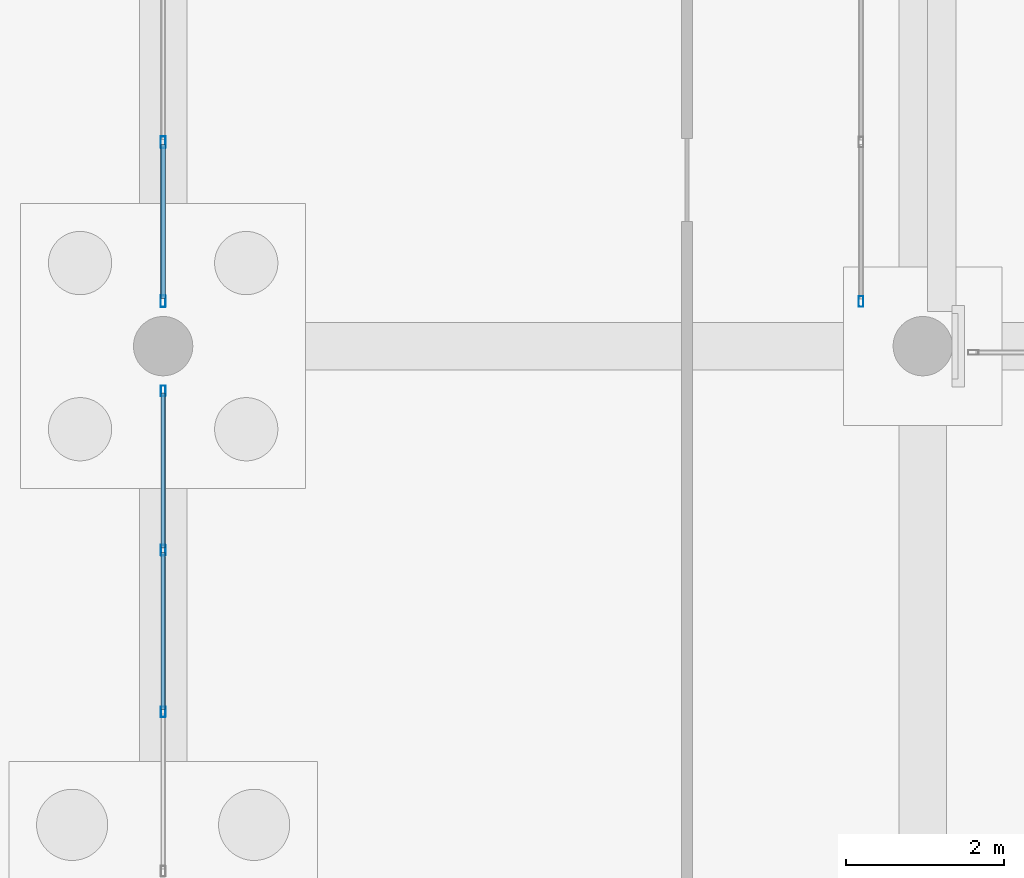
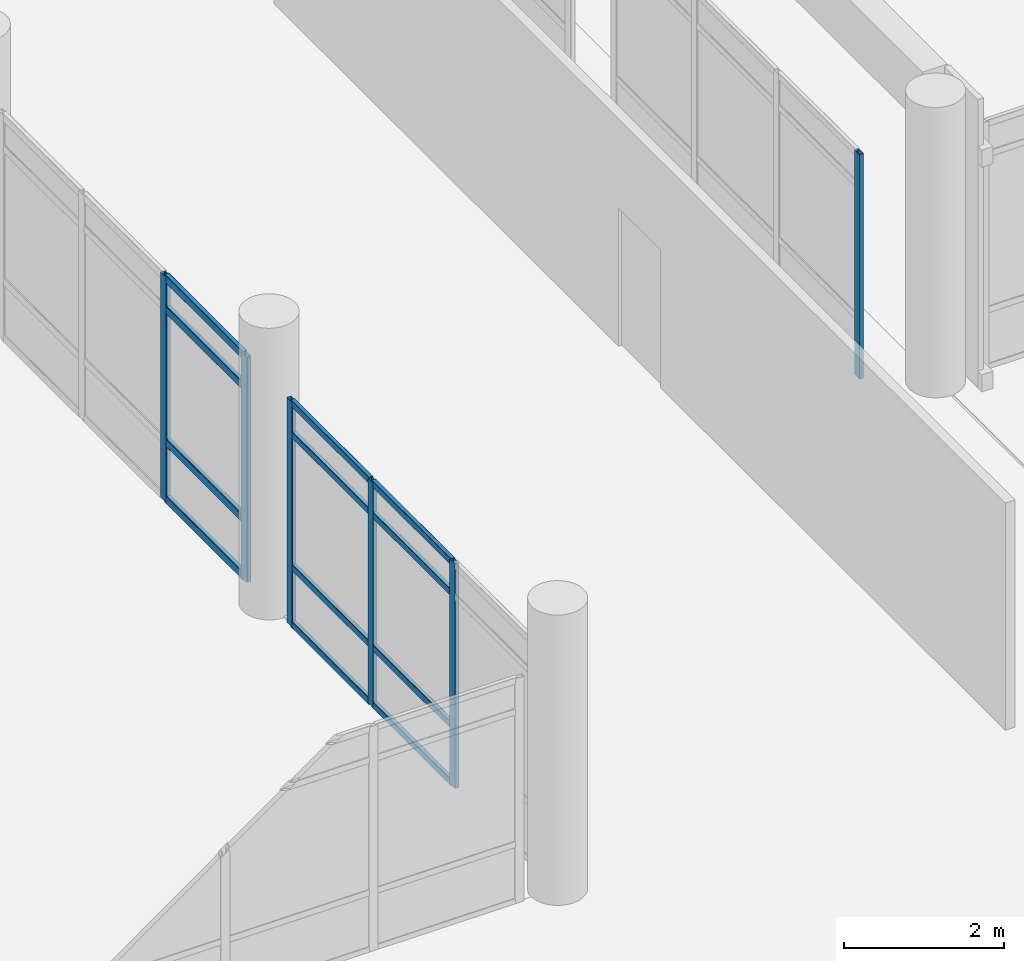
# One storey, part 107 of 196: 18 members, 3 elements without a shape of their own.
"""IFC4 building model written with IfcOpenShell, lengths in metres."""

import ifcopenshell
import ifcopenshell.guid

model = None  # the IFC model being written
_history = None  # IfcOwnerHistory: only IFC2X3 demands one
_inside = {}  # id of a spatial element -> (the spatial element, [elements in it])
_under = {}  # id of a project, library or spatial element -> (it, [spatial elements below it])
_declared = {}  # id of a project -> (the project, [libraries it declares])
_typed = {}  # id of a type object -> (the type object, [elements of that type])
_made_of = {}  # id of a material, layer set ... -> (it, [elements and type objects made of it])


def new_model(schema):
    """Start an empty IFC model of exactly this schema.

    Asked for "IFC4X3", IfcOpenShell would pick the latest addendum, in which some entities
    have other attributes; the version numbers below select the first issue.
    IFC2X3 requires an IfcOwnerHistory on every rooted entity: one is made here for all.
    """
    global model, _history
    if schema == "IFC4X3":
        model = ifcopenshell.file(schema_version=(4, 3, 0, 0))
    else:
        model = ifcopenshell.file(schema=schema)
    _inside.clear()
    _under.clear()
    _declared.clear()
    _typed.clear()
    _made_of.clear()
    _history = None
    if model.schema == "IFC2X3":
        org = make("IfcOrganization", Name="unknown")
        user = make(
            "IfcPersonAndOrganization",
            ThePerson=make("IfcPerson", FamilyName="unknown"),
            TheOrganization=org,
        )
        app = make(
            "IfcApplication",
            ApplicationDeveloper=org,
            Version="unknown",
            ApplicationFullName="unknown",
            ApplicationIdentifier="unknown",
        )
        _history = make(
            "IfcOwnerHistory",
            OwningUser=user,
            OwningApplication=app,
            ChangeAction="ADDED",
            CreationDate=0,
        )
    return model


def make(cls, **values):
    """One entity of the class cls with the attributes given. An attribute that is None is left unset."""
    return model.create_entity(
        cls, **{name: value for name, value in values.items() if value is not None}
    )


def rooted(cls, **values):
    """An entity with a GlobalId (a new one), such as an element, a storey or a relation."""
    return make(cls, GlobalId=ifcopenshell.guid.new(), OwnerHistory=_history, **values)


def si_unit(unit_type, name, prefix=None):
    """IfcSIUnit, for example si_unit("LENGTHUNIT", "METRE", prefix="MILLI")."""
    return make("IfcSIUnit", UnitType=unit_type, Prefix=prefix, Name=name)


def assignment(units):
    """IfcUnitAssignment: the units of a project."""
    return None if units is None else make("IfcUnitAssignment", Units=units)


def point(xyz):
    """IfcCartesianPoint."""
    return None if xyz is None else make("IfcCartesianPoint", Coordinates=xyz)


def direction(xyz):
    """IfcDirection."""
    return None if xyz is None else make("IfcDirection", DirectionRatios=xyz)


def frame(location, z_axis=None, x_axis=None):
    """IfcAxis2Placement3D, a coordinate frame: its origin and axes. An axis left out is left unset."""
    return make(
        "IfcAxis2Placement3D",
        Location=point(location),
        Axis=direction(z_axis),
        RefDirection=direction(x_axis),
    )


def frame_2d(location, x_axis=None):
    """IfcAxis2Placement2D, a coordinate frame in the plane: its origin and x axis."""
    return make(
        "IfcAxis2Placement2D", Location=point(location), RefDirection=direction(x_axis)
    )


def origin():
    """The frame at (0, 0, 0) with its axes left unset."""
    return frame((0.0, 0.0, 0.0))


def origin_2d():
    """The frame at (0, 0) in the plane with its x axis left unset."""
    return frame_2d((0.0, 0.0))


def place(relative_to, where):
    """IfcLocalPlacement: puts the frame where relative to a parent placement (None: the world)."""
    return make(
        "IfcLocalPlacement", PlacementRelTo=relative_to, RelativePlacement=where
    )


def context(
    kind, dimensions, precision=None, world=None, true_north=None, identifier=None
):
    """IfcGeometricRepresentationContext, for example the 3D "Model" context."""
    return make(
        "IfcGeometricRepresentationContext",
        ContextIdentifier=identifier,
        ContextType=kind,
        CoordinateSpaceDimension=dimensions,
        Precision=precision,
        WorldCoordinateSystem=world,
        TrueNorth=true_north,
    )


def subcontext(parent, identifier, kind, view, scale=None):
    """IfcGeometricRepresentationSubContext, for example "Body" below "Model"."""
    return make(
        "IfcGeometricRepresentationSubContext",
        ContextIdentifier=identifier,
        ContextType=kind,
        ParentContext=parent,
        TargetScale=scale,
        TargetView=view,
    )


def project(units=None, contexts=None):
    """IfcProject with its units and contexts."""
    return rooted(
        "IfcProject",
        Name="project",
        RepresentationContexts=contexts,
        UnitsInContext=assignment(units),
    )


def spatial(cls, under=None, at=None, **own):
    """A site, building, storey or space (cls), placed at a placement, below another one or the project."""
    s = rooted(cls, ObjectPlacement=at, **own)
    if under is not None:
        _under.setdefault(under.id(), (under, []))[1].append(s)
    return s


def profile(cls, at=None, kind="AREA", **sizes):
    """A parametric profile (cls). Its sizes go by their IFC names, for example OverallWidth=200.0."""
    return make(cls, ProfileType=kind, Position=at, **sizes)


def hollow_rectangle(**sizes):
    """IfcRectangleHollowProfileDef."""
    return profile("IfcRectangleHollowProfileDef", **sizes)


def extrude(swept, where, along, depth):
    """IfcExtrudedAreaSolid: the profile swept, set in the frame where, extruded along a direction by depth."""
    return make(
        "IfcExtrudedAreaSolid",
        SweptArea=swept,
        Position=where,
        ExtrudedDirection=direction(along),
        Depth=depth,
    )


def shape(context_of_items, identifier, shape_type, items):
    """IfcShapeRepresentation: the items that make up one representation, for example the "Body"."""
    return make(
        "IfcShapeRepresentation",
        ContextOfItems=context_of_items,
        RepresentationIdentifier=identifier,
        RepresentationType=shape_type,
        Items=items,
    )


def material(Name=None, Category=None):
    """IfcMaterial."""
    return make("IfcMaterial", Name=Name, Category=Category)


def layer(
    of_material, thickness, ventilated=None, Name=None, Category=None, Priority=None
):
    """IfcMaterialLayer: one layer of a wall or slab, of a material (None: an air gap)."""
    return make(
        "IfcMaterialLayer",
        Material=of_material,
        LayerThickness=thickness,
        IsVentilated=ventilated,
        Name=Name,
        Category=Category,
        Priority=Priority,
    )


def layer_set(layers, Name=None):
    """IfcMaterialLayerSet."""
    return make("IfcMaterialLayerSet", MaterialLayers=layers, LayerSetName=Name)


def material_profile(
    of_material, cross_section, Name=None, Category=None, Priority=None
):
    """IfcMaterialProfile: a cross section and its material."""
    return make(
        "IfcMaterialProfile",
        Name=Name,
        Material=of_material,
        Profile=cross_section,
        Priority=Priority,
        Category=Category,
    )


def profile_set(profiles, Name=None, composite=None):
    """IfcMaterialProfileSet."""
    return make(
        "IfcMaterialProfileSet",
        Name=Name,
        MaterialProfiles=profiles,
        CompositeProfile=composite,
    )


def made_of(thing, what):
    """Note that an element or type object is made of a material, layer set ...; save() writes the relation."""
    if what is not None:
        _made_of.setdefault(what.id(), (what, []))[1].append(thing)
    return thing


def type_object(cls, material=None, **own):
    """A type object (cls), such as IfcWallType, which elements share."""
    return made_of(rooted(cls, **own), material)


def element(
    cls,
    number,
    at=None,
    inside=None,
    cuts=None,
    type_object=None,
    material=None,
    context=None,
    identifier="Body",
    shape_type=None,
    held_by="IfcProductDefinitionShape",
    body=None,
    shapes=None,
    **own,
):
    """One element of the class cls, such as IfcWall. Its Tag is "e" and its number.

    at: its placement. inside: the storey or other place that contains it. cuts: it is an
    opening in that element (IfcRelVoidsElement). A single representation is given by context,
    identifier, shape_type and body (its items); several are given by shapes. held_by: the class
    of the entity that holds the representations. save() writes the other relations.
    """
    e = rooted(cls, Tag="e%d" % number, ObjectPlacement=at, **own)
    if body is not None:
        shapes = [shape(context, identifier, shape_type, body)]
    if shapes is not None:
        e.Representation = make(held_by, Representations=shapes)
    if inside is not None:
        _inside.setdefault(inside.id(), (inside, []))[1].append(e)
    if cuts is not None:
        rooted(
            "IfcRelVoidsElement", RelatingBuildingElement=cuts, RelatedOpeningElement=e
        )
    if type_object is not None:
        _typed.setdefault(type_object.id(), (type_object, []))[1].append(e)
    return made_of(e, material)


def aggregate(whole, parts):
    """IfcRelAggregates: a whole, such as a stair, and the parts it consists of."""
    return rooted("IfcRelAggregates", RelatingObject=whole, RelatedObjects=parts)


def save(model, path):
    """Write the relations noted so far, then the file.

    IfcRelAggregates (storeys below a building ...), IfcRelContainedInSpatialStructure (elements
    in a storey), IfcRelDefinesByType, IfcRelAssociatesMaterial and IfcRelDeclares: one each for
    every whole, place, type object, material and project.
    """
    for whole, parts in _under.values():
        aggregate(whole, parts)
    for where, things in _inside.values():
        rooted(
            "IfcRelContainedInSpatialStructure",
            RelatedElements=things,
            RelatingStructure=where,
        )
    for kind, things in _typed.values():
        rooted("IfcRelDefinesByType", RelatedObjects=things, RelatingType=kind)
    for what, things in _made_of.values():
        rooted("IfcRelAssociatesMaterial", RelatedObjects=things, RelatingMaterial=what)
    for by, libraries in _declared.values():
        rooted("IfcRelDeclares", RelatingContext=by, RelatedDefinitions=libraries)
    model.write(path)


model = new_model("IFC4")

# Units and contexts
model_context = context("Model", 3, precision=1e-05, world=origin(), true_north=direction((0.0, 1.0)))
body_context = subcontext(model_context, "Body", "Model", "MODEL_VIEW")
ifc_project = project(units=[si_unit("LENGTHUNIT", "METRE"), si_unit("AREAUNIT", "SQUARE_METRE"), si_unit("VOLUMEUNIT", "CUBIC_METRE"), si_unit("PLANEANGLEUNIT", "RADIAN"), si_unit("MASSUNIT", "GRAM", prefix="KILO")], contexts=[model_context])

# Site, building, storey
site_placement = place(None, origin())
site = spatial("IfcSite", under=ifc_project, at=site_placement, CompositionType="ELEMENT")
building_placement = place(site_placement, origin())
building = spatial("IfcBuilding", under=site, at=building_placement, Name="Asteropetra Specialist Clinic", CompositionType="ELEMENT")
storey_placement = place(building_placement, origin())
storey = spatial("IfcBuildingStorey", under=building, at=storey_placement, Name="L00", CompositionType="ELEMENT", Elevation=0.0)

# Curtain wall, members
ifc_material_1 = material(Name="Aluminium and low-E glass", Category="aluminium")
ifc_layer_1 = layer(ifc_material_1, 0.135009765625)
ifc_layer_set_1 = layer_set([ifc_layer_1], Name="Aluminium and low-E glass")
curtain_wall_type_1 = type_object("IfcCurtainWallType", Name="CW-SYS-06", PredefinedType="USERDEFINED", material=ifc_layer_set_1)
curtain_wall_1_placement = place(storey_placement, origin())
curtain_wall_1 = element("IfcCurtainWall", 1, at=curtain_wall_1_placement, inside=storey, type_object=curtain_wall_type_1, Name="Curtain Wall CW-014", ObjectType="UNITISED CURTAIN WALL", PredefinedType="USERDEFINED")
ifc_material_2 = material(Name="Aluminium 6063-T6", Category="aluminium")
ifc_material_profile_1 = material_profile(ifc_material_2, hollow_rectangle(XDim=0.06005859375, YDim=0.135009765625, WallThickness=0.00341796875, InnerFilletRadius=0.00341796875, OuterFilletRadius=0.007080078125, at=origin_2d()), Name="MUL 135x60x3.5")
ifc_profile_set_1 = profile_set([ifc_material_profile_1], Name="Aluminium 6063-T6")
member_type_1 = type_object("IfcMemberType", Name="CWM-135x60", PredefinedType="MULLION", material=ifc_profile_set_1)
member_1_placement = place(storey_placement, frame((67.199951171875, 79.37841796875, 0.0), z_axis=(0.0, 0.0, 1.0), x_axis=(-1.0, 0.0, 0.0)))
member_1 = element("IfcMember", 2, at=member_1_placement, type_object=member_type_1, Name="CW-014 mullion 2", PredefinedType="MULLION", context=body_context, shape_type="SweptSolid", body=[
    extrude(hollow_rectangle(XDim=0.06005859375, YDim=0.135009765625, WallThickness=0.00341796875, InnerFilletRadius=0.00341796875, OuterFilletRadius=0.007080078125, at=origin_2d()), origin(), (0.0, 0.0, 1.0), 3.419921875),
])
member_2_placement = place(storey_placement, frame((67.199951171875, 81.421630859375, 0.0), z_axis=(0.0, 0.0, 1.0), x_axis=(-1.0, 0.0, 0.0)))
member_2 = element("IfcMember", 3, at=member_2_placement, type_object=member_type_1, Name="CW-014 mullion 3", PredefinedType="MULLION", context=body_context, shape_type="SweptSolid", body=[
    extrude(hollow_rectangle(XDim=0.06005859375, YDim=0.135009765625, WallThickness=0.00341796875, InnerFilletRadius=0.00341796875, OuterFilletRadius=0.007080078125, at=origin_2d()), origin(), (0.0, 0.0, 1.0), 3.419921875),
])
member_3_placement = place(storey_placement, frame((67.199951171875, 83.43505859375, 0.0), z_axis=(0.0, 0.0, 1.0), x_axis=(-1.0, 0.0, 0.0)))
member_3 = element("IfcMember", 4, at=member_3_placement, type_object=member_type_1, Name="CW-014 mullion 4", PredefinedType="MULLION", context=body_context, shape_type="SweptSolid", body=[
    extrude(hollow_rectangle(XDim=0.06005859375, YDim=0.135009765625, WallThickness=0.00341796875, InnerFilletRadius=0.00341796875, OuterFilletRadius=0.007080078125, at=origin_2d()), origin(), (0.0, 0.0, 1.0), 3.419921875),
])

# Curtain wall, member
ifc_material_3 = material(Name="Aluminium and low-E glass", Category="aluminium")
ifc_layer_2 = layer(ifc_material_3, 0.179931640625)
ifc_layer_set_2 = layer_set([ifc_layer_2], Name="Aluminium and low-E glass")
curtain_wall_type_2 = type_object("IfcCurtainWallType", Name="CW-SYS-10", PredefinedType="USERDEFINED", material=ifc_layer_set_2)
curtain_wall_2_placement = place(storey_placement, origin())
curtain_wall_2 = element("IfcCurtainWall", 5, at=curtain_wall_2_placement, inside=storey, type_object=curtain_wall_type_2, Name="Curtain Wall CW-188", ObjectType="STICK GLAZED COLONNADE", PredefinedType="USERDEFINED")
member_4_placement = place(storey_placement, frame((76.02001953125, 84.56494140625, 0.0), z_axis=(0.0, 0.0, 1.0), x_axis=(-1.0, 0.0, 0.0)))
member_4 = element("IfcMember", 6, at=member_4_placement, type_object=member_type_1, Name="CW-188 mullion 1", PredefinedType="MULLION", context=body_context, shape_type="SweptSolid", body=[
    extrude(hollow_rectangle(XDim=0.06005859375, YDim=0.135009765625, WallThickness=0.00341796875, InnerFilletRadius=0.00341796875, OuterFilletRadius=0.007080078125, at=origin_2d()), origin(), (0.0, 0.0, 1.0), 3.419921875),
])
aggregate(curtain_wall_2, [member_4])

# Curtain wall, members
ifc_material_4 = material(Name="Aluminium and low-E glass", Category="aluminium")
ifc_layer_3 = layer(ifc_material_4, 0.179931640625)
ifc_layer_set_3 = layer_set([ifc_layer_3], Name="Aluminium and low-E glass")
curtain_wall_type_3 = type_object("IfcCurtainWallType", Name="CW-SYS-07", PredefinedType="USERDEFINED", material=ifc_layer_set_3)
curtain_wall_3_placement = place(storey_placement, origin())
curtain_wall_3 = element("IfcCurtainWall", 7, at=curtain_wall_3_placement, inside=storey, type_object=curtain_wall_type_3, Name="Curtain Wall CW-016", ObjectType="STICK GLAZED COLONNADE", PredefinedType="USERDEFINED")
ifc_material_5 = material(Name="Aluminium 6063-T6", Category="aluminium")
ifc_material_profile_2 = material_profile(ifc_material_5, hollow_rectangle(XDim=0.06494140625, YDim=0.14990234375, WallThickness=0.00390625, InnerFilletRadius=0.00390625, OuterFilletRadius=0.008056640625, at=origin_2d()), Name="MUL 150x65x4.0")
ifc_profile_set_2 = profile_set([ifc_material_profile_2], Name="Aluminium 6063-T6")
member_type_2 = type_object("IfcMemberType", Name="CWM-150x65", PredefinedType="MULLION", material=ifc_profile_set_2)
member_5_placement = place(storey_placement, frame((67.199951171875, 84.5673828125, 0.0), z_axis=(0.0, 0.0, 1.0), x_axis=(-1.0, 0.0, 0.0)))
member_5 = element("IfcMember", 8, at=member_5_placement, type_object=member_type_2, Name="CW-016 mullion 1", PredefinedType="MULLION", context=body_context, shape_type="SweptSolid", body=[
    extrude(hollow_rectangle(XDim=0.06494140625, YDim=0.14990234375, WallThickness=0.00390625, InnerFilletRadius=0.00390625, OuterFilletRadius=0.008056640625, at=origin_2d()), origin(), (0.0, 0.0, 1.0), 3.419921875),
])
member_6_placement = place(storey_placement, frame((67.199951171875, 86.578369140625, 0.0), z_axis=(0.0, 0.0, 1.0), x_axis=(-1.0, 0.0, 0.0)))
member_6 = element("IfcMember", 9, at=member_6_placement, type_object=member_type_2, Name="CW-016 mullion 2", PredefinedType="MULLION", context=body_context, shape_type="SweptSolid", body=[
    extrude(hollow_rectangle(XDim=0.06494140625, YDim=0.14990234375, WallThickness=0.00390625, InnerFilletRadius=0.00390625, OuterFilletRadius=0.008056640625, at=origin_2d()), origin(), (0.0, 0.0, 1.0), 3.419921875),
])

# Member
ifc_material_6 = material(Name="Aluminium 6063-T6", Category="aluminium")
ifc_material_profile_3 = material_profile(ifc_material_6, hollow_rectangle(XDim=0.06005859375, YDim=0.10009765625, WallThickness=0.00341796875, InnerFilletRadius=0.00341796875, OuterFilletRadius=0.007080078125, at=origin_2d()), Name="TRN 100x60x3.5")
ifc_profile_set_3 = profile_set([ifc_material_profile_3], Name="Aluminium 6063-T6")
member_type_3 = type_object("IfcMemberType", Name="CWT-100x60", PredefinedType="USERDEFINED", material=ifc_profile_set_3)
member_7_placement = place(storey_placement, frame((67.199951171875, 79.408447265625, 0.030029296875), z_axis=(0.0, 1.0, 0.0), x_axis=(-1.0, 0.0, 0.0)))
member_7 = element("IfcMember", 10, at=member_7_placement, type_object=member_type_3, Name="CW-014 transom 2.1", ObjectType="TRANSOM", PredefinedType="USERDEFINED", context=body_context, shape_type="SweptSolid", body=[
    extrude(hollow_rectangle(XDim=0.06005859375, YDim=0.10009765625, WallThickness=0.00341796875, InnerFilletRadius=0.00341796875, OuterFilletRadius=0.007080078125, at=origin_2d()), origin(), (0.0, 0.0, 1.0), 1.983154296875),
])

member_8_placement = place(storey_placement, frame((67.199951171875, 79.408447265625, 0.89990234375), z_axis=(0.0, 1.0, 0.0), x_axis=(-1.0, 0.0, 0.0)))
member_8 = element("IfcMember", 11, at=member_8_placement, type_object=member_type_3, Name="CW-014 transom 2.2", ObjectType="TRANSOM", PredefinedType="USERDEFINED", context=body_context, shape_type="SweptSolid", body=[
    extrude(hollow_rectangle(XDim=0.06005859375, YDim=0.10009765625, WallThickness=0.00341796875, InnerFilletRadius=0.00341796875, OuterFilletRadius=0.007080078125, at=origin_2d()), origin(), (0.0, 0.0, 1.0), 1.983154296875),
])

member_9_placement = place(storey_placement, frame((67.199951171875, 79.408447265625, 2.919921875), z_axis=(0.0, 1.0, 0.0), x_axis=(-1.0, 0.0, 0.0)))
member_9 = element("IfcMember", 12, at=member_9_placement, type_object=member_type_3, Name="CW-014 transom 2.3", ObjectType="TRANSOM", PredefinedType="USERDEFINED", context=body_context, shape_type="SweptSolid", body=[
    extrude(hollow_rectangle(XDim=0.06005859375, YDim=0.10009765625, WallThickness=0.00341796875, InnerFilletRadius=0.00341796875, OuterFilletRadius=0.007080078125, at=origin_2d()), origin(), (0.0, 0.0, 1.0), 1.983154296875),
])

member_10_placement = place(storey_placement, frame((67.199951171875, 79.408447265625, 3.389892578125), z_axis=(0.0, 1.0, 0.0), x_axis=(-1.0, 0.0, 0.0)))
member_10 = element("IfcMember", 13, at=member_10_placement, type_object=member_type_3, Name="CW-014 transom 2.4", ObjectType="TRANSOM", PredefinedType="USERDEFINED", context=body_context, shape_type="SweptSolid", body=[
    extrude(hollow_rectangle(XDim=0.06005859375, YDim=0.10009765625, WallThickness=0.00341796875, InnerFilletRadius=0.00341796875, OuterFilletRadius=0.007080078125, at=origin_2d()), origin(), (0.0, 0.0, 1.0), 1.983154296875),
])

member_11_placement = place(storey_placement, frame((67.199951171875, 81.45166015625, 0.030029296875), z_axis=(0.0, 1.0, 0.0), x_axis=(-1.0, 0.0, 0.0)))
member_11 = element("IfcMember", 14, at=member_11_placement, type_object=member_type_3, Name="CW-014 transom 3.1", ObjectType="TRANSOM", PredefinedType="USERDEFINED", context=body_context, shape_type="SweptSolid", body=[
    extrude(hollow_rectangle(XDim=0.06005859375, YDim=0.10009765625, WallThickness=0.00341796875, InnerFilletRadius=0.00341796875, OuterFilletRadius=0.007080078125, at=origin_2d()), origin(), (0.0, 0.0, 1.0), 1.953369140625),
])

member_12_placement = place(storey_placement, frame((67.199951171875, 81.45166015625, 0.89990234375), z_axis=(0.0, 1.0, 0.0), x_axis=(-1.0, 0.0, 0.0)))
member_12 = element("IfcMember", 15, at=member_12_placement, type_object=member_type_3, Name="CW-014 transom 3.2", ObjectType="TRANSOM", PredefinedType="USERDEFINED", context=body_context, shape_type="SweptSolid", body=[
    extrude(hollow_rectangle(XDim=0.06005859375, YDim=0.10009765625, WallThickness=0.00341796875, InnerFilletRadius=0.00341796875, OuterFilletRadius=0.007080078125, at=origin_2d()), origin(), (0.0, 0.0, 1.0), 1.953369140625),
])

member_13_placement = place(storey_placement, frame((67.199951171875, 81.45166015625, 2.919921875), z_axis=(0.0, 1.0, 0.0), x_axis=(-1.0, 0.0, 0.0)))
member_13 = element("IfcMember", 16, at=member_13_placement, type_object=member_type_3, Name="CW-014 transom 3.3", ObjectType="TRANSOM", PredefinedType="USERDEFINED", context=body_context, shape_type="SweptSolid", body=[
    extrude(hollow_rectangle(XDim=0.06005859375, YDim=0.10009765625, WallThickness=0.00341796875, InnerFilletRadius=0.00341796875, OuterFilletRadius=0.007080078125, at=origin_2d()), origin(), (0.0, 0.0, 1.0), 1.953369140625),
])

member_14_placement = place(storey_placement, frame((67.199951171875, 81.45166015625, 3.389892578125), z_axis=(0.0, 1.0, 0.0), x_axis=(-1.0, 0.0, 0.0)))
member_14 = element("IfcMember", 17, at=member_14_placement, type_object=member_type_3, Name="CW-014 transom 3.4", ObjectType="TRANSOM", PredefinedType="USERDEFINED", context=body_context, shape_type="SweptSolid", body=[
    extrude(hollow_rectangle(XDim=0.06005859375, YDim=0.10009765625, WallThickness=0.00341796875, InnerFilletRadius=0.00341796875, OuterFilletRadius=0.007080078125, at=origin_2d()), origin(), (0.0, 0.0, 1.0), 1.953369140625),
])

aggregate(curtain_wall_1, [member_1, member_2, member_3, member_7, member_8, member_9, member_10, member_11, member_12, member_13, member_14])

ifc_material_7 = material(Name="Aluminium 6063-T6", Category="aluminium")
ifc_material_profile_4 = material_profile(ifc_material_7, hollow_rectangle(XDim=0.06494140625, YDim=0.1201171875, WallThickness=0.00390625, InnerFilletRadius=0.00390625, OuterFilletRadius=0.008056640625, at=origin_2d()), Name="TRN 120x65x4.0")
ifc_profile_set_4 = profile_set([ifc_material_profile_4], Name="Aluminium 6063-T6")
member_type_4 = type_object("IfcMemberType", Name="CWT-120x65", PredefinedType="USERDEFINED", material=ifc_profile_set_4)
member_15_placement = place(storey_placement, frame((67.199951171875, 84.60009765625, 0.032470703125), z_axis=(0.0, 1.0, 0.0), x_axis=(-1.0, 0.0, 0.0)))
member_15 = element("IfcMember", 18, at=member_15_placement, type_object=member_type_4, Name="CW-016 transom 1.1", ObjectType="TRANSOM", PredefinedType="USERDEFINED", context=body_context, shape_type="SweptSolid", body=[
    extrude(hollow_rectangle(XDim=0.06494140625, YDim=0.1201171875, WallThickness=0.00390625, InnerFilletRadius=0.00390625, OuterFilletRadius=0.008056640625, at=origin_2d()), origin(), (0.0, 0.0, 1.0), 1.94580078125),
])

member_16_placement = place(storey_placement, frame((67.199951171875, 84.60009765625, 0.89990234375), z_axis=(0.0, 1.0, 0.0), x_axis=(-1.0, 0.0, 0.0)))
member_16 = element("IfcMember", 19, at=member_16_placement, type_object=member_type_4, Name="CW-016 transom 1.2", ObjectType="TRANSOM", PredefinedType="USERDEFINED", context=body_context, shape_type="SweptSolid", body=[
    extrude(hollow_rectangle(XDim=0.06494140625, YDim=0.1201171875, WallThickness=0.00390625, InnerFilletRadius=0.00390625, OuterFilletRadius=0.008056640625, at=origin_2d()), origin(), (0.0, 0.0, 1.0), 1.94580078125),
])

member_17_placement = place(storey_placement, frame((67.199951171875, 84.60009765625, 2.919921875), z_axis=(0.0, 1.0, 0.0), x_axis=(-1.0, 0.0, 0.0)))
member_17 = element("IfcMember", 20, at=member_17_placement, type_object=member_type_4, Name="CW-016 transom 1.3", ObjectType="TRANSOM", PredefinedType="USERDEFINED", context=body_context, shape_type="SweptSolid", body=[
    extrude(hollow_rectangle(XDim=0.06494140625, YDim=0.1201171875, WallThickness=0.00390625, InnerFilletRadius=0.00390625, OuterFilletRadius=0.008056640625, at=origin_2d()), origin(), (0.0, 0.0, 1.0), 1.94580078125),
])

member_18_placement = place(storey_placement, frame((67.199951171875, 84.60009765625, 3.387451171875), z_axis=(0.0, 1.0, 0.0), x_axis=(-1.0, 0.0, 0.0)))
member_18 = element("IfcMember", 21, at=member_18_placement, type_object=member_type_4, Name="CW-016 transom 1.4", ObjectType="TRANSOM", PredefinedType="USERDEFINED", context=body_context, shape_type="SweptSolid", body=[
    extrude(hollow_rectangle(XDim=0.06494140625, YDim=0.1201171875, WallThickness=0.00390625, InnerFilletRadius=0.00390625, OuterFilletRadius=0.008056640625, at=origin_2d()), origin(), (0.0, 0.0, 1.0), 1.94580078125),
])

aggregate(curtain_wall_3, [member_5, member_6, member_15, member_16, member_17, member_18])

save(model, "model.ifc")
